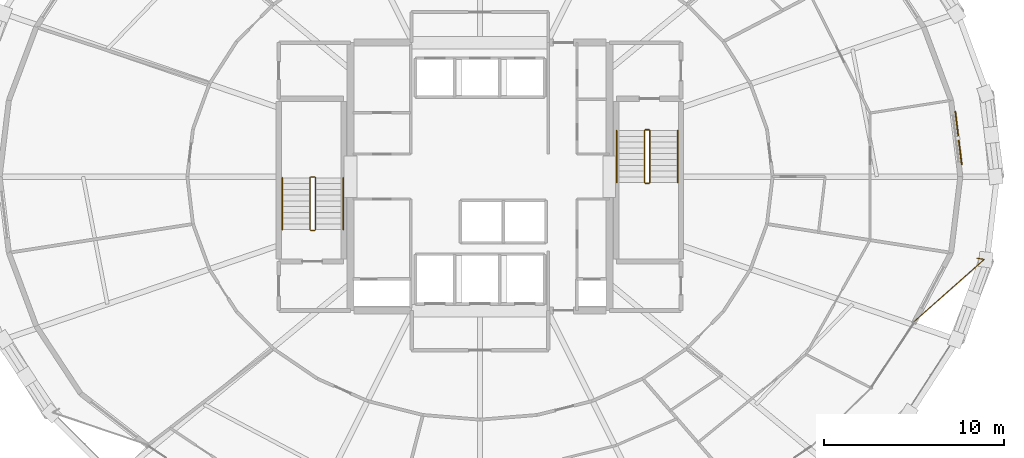
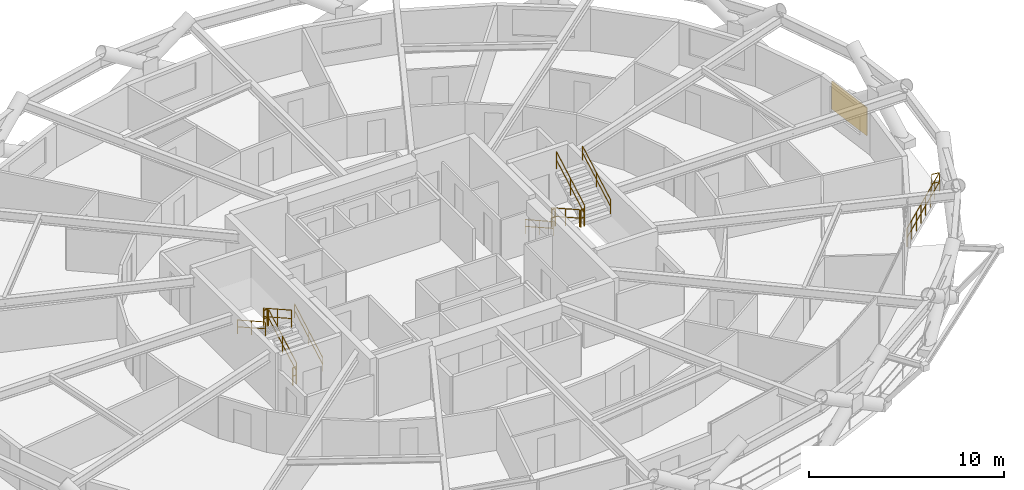
# One storey, part 21 of 21: 13 railings, 1 shading device.
"""IFC4 building model written with IfcOpenShell, lengths in metres."""

from ifc_helpers import new_model, si_unit, direction, frame, origin, origin_2d, place, context, subcontext, project, spatial, rectangle, circle, extrude, material, layer, layer_set, type_object, element, save


model = new_model("IFC4")

# Units and contexts
model_context = context("Model", 3, precision=1e-05, world=origin(), true_north=direction((0.0, 1.0)))
body_context = subcontext(model_context, "Body", "Model", "MODEL_VIEW")
ifc_project = project(units=[si_unit("LENGTHUNIT", "METRE"), si_unit("AREAUNIT", "SQUARE_METRE"), si_unit("VOLUMEUNIT", "CUBIC_METRE"), si_unit("PLANEANGLEUNIT", "RADIAN"), si_unit("MASSUNIT", "GRAM", prefix="KILO")], contexts=[model_context])

# Site, building, storey
site_placement = place(None, origin())
site = spatial("IfcSite", under=ifc_project, at=site_placement, CompositionType="ELEMENT")
building_placement = place(site_placement, origin())
building = spatial("IfcBuilding", under=site, at=building_placement, Name="Veldorina Hangang Commons", CompositionType="ELEMENT")
storey_placement = place(building_placement, frame((0.0, 0.0, 59.199951171875)))
storey = spatial("IfcBuildingStorey", under=building, at=storey_placement, Name="L14", CompositionType="ELEMENT", Elevation=59.199951171875)

# Railings
ifc_material_1 = material(Name="Glass Laminated Safety Balustrade", Category="glass")
railing_type_1 = type_object("IfcRailingType", Name="RL-BAL-LOGGIA", PredefinedType="BALUSTRADE", material=ifc_material_1)
railing_1_placement = place(storey_placement, frame((59.62841796875, 19.462646484375, 0.0)))
element("IfcRailing", 1, at=railing_1_placement, inside=storey, type_object=railing_type_1, Name="L14 sky-garden loggia end balustrade B", PredefinedType="BALUSTRADE", context=body_context, shape_type="SweptSolid", body=[
    extrude(circle(Radius=0.02392578125, at=origin_2d()), frame((0.0, 0.0, 1.17578125), z_axis=(0.986861106926, -0.161570899721, 0.0), x_axis=(0.161570899721, 0.986861106926, 0.0)), (0.0, 0.0, 1.0), 0.420166015625),
    extrude(circle(Radius=0.02392578125, at=origin_2d()), frame((0.0, 0.0, 0.60009765625), z_axis=(0.986861106926, -0.161570899721, 0.0), x_axis=(0.161570899721, 0.986861106926, 0.0)), (0.0, 0.0, 1.0), 0.420166015625),
    extrude(circle(Radius=0.02392578125, at=origin_2d()), frame((0.41455078125, -0.06787109375, 1.17578125), z_axis=(-0.748044040425, -0.663649089191, 0.0), x_axis=(0.663649089191, -0.748044040425, 0.0)), (0.0, 0.0, 1.0), 5.239013671875),
    extrude(circle(Radius=0.02392578125, at=origin_2d()), frame((0.41455078125, -0.06787109375, 0.60009765625), z_axis=(-0.748044040425, -0.663649089191, 0.0), x_axis=(0.663649089191, -0.748044040425, 0.0)), (0.0, 0.0, 1.0), 5.239013671875),
    extrude(circle(Radius=0.02099609375, at=origin_2d()), origin(), (0.0, 0.0, 1.0), 1.15185546875),
    extrude(circle(Radius=0.02099609375, at=origin_2d()), frame((0.41455078125, -0.06787109375, 0.0)), (0.0, 0.0, 1.0), 1.15185546875),
    extrude(circle(Radius=0.02099609375, at=origin_2d()), frame((-0.145263671875, -0.564453125, 0.0)), (0.0, 0.0, 1.0), 1.15185546875),
    extrude(circle(Radius=0.02099609375, at=origin_2d()), frame((-0.705078125, -1.061279296875, 0.0)), (0.0, 0.0, 1.0), 1.15185546875),
    extrude(circle(Radius=0.02099609375, at=origin_2d()), frame((-1.264892578125, -1.557861328125, 0.0)), (0.0, 0.0, 1.0), 1.15185546875),
    extrude(circle(Radius=0.02099609375, at=origin_2d()), frame((-1.824951171875, -2.0546875, 0.0)), (0.0, 0.0, 1.0), 1.15185546875),
    extrude(circle(Radius=0.02099609375, at=origin_2d()), frame((-2.384765625, -2.55126953125, 0.0)), (0.0, 0.0, 1.0), 1.15185546875),
    extrude(circle(Radius=0.02099609375, at=origin_2d()), frame((-2.944580078125, -3.048095703125, 0.0)), (0.0, 0.0, 1.0), 1.15185546875),
    extrude(circle(Radius=0.02099609375, at=origin_2d()), frame((-3.50439453125, -3.544677734375, 0.0)), (0.0, 0.0, 1.0), 1.15185546875),
])
ifc_material_2 = material(Name="Steel Painted Balustrade", Category="steel")
railing_type_2 = type_object("IfcRailingType", Name="RL-GRD-STAIR", PredefinedType="GUARDRAIL", material=ifc_material_2)
railing_2_placement = place(storey_placement, frame((22.85009765625, 21.050048828125, 0.179931640625)))
element("IfcRailing", 2, at=railing_2_placement, inside=storey, type_object=railing_type_2, Name="L14 ST-1 stair guard 1", PredefinedType="GUARDRAIL", context=body_context, shape_type="SweptSolid", body=[
    extrude(circle(Radius=0.02392578125, at=origin_2d()), frame((0.0, 0.0, 1.076171875), z_axis=(0.0, 0.87155185771, 0.490303333991), x_axis=(-1.0, 0.0, 0.0)), (0.0, 0.0, 1.0), 3.30419921875),
    extrude(circle(Radius=0.02392578125, at=origin_2d()), frame((0.0, 0.0, 0.550048828125), z_axis=(0.0, 0.87155185771, 0.490303333991), x_axis=(-1.0, 0.0, 0.0)), (0.0, 0.0, 1.0), 3.30419921875),
    extrude(circle(Radius=0.02099609375, at=origin_2d()), origin(), (0.0, 0.0, 1.0), 1.052001953125),
    extrude(circle(Radius=0.02099609375, at=origin_2d()), frame((0.0, 1.43994140625, 0.81005859375)), (0.0, 0.0, 1.0), 1.052001953125),
    extrude(circle(Radius=0.02099609375, at=origin_2d()), frame((0.0, 2.8798828125, 1.6201171875)), (0.0, 0.0, 1.0), 1.052001953125),
])
railing_3_placement = place(storey_placement, frame((22.800048828125, 23.97998046875, 1.800048828125)))
element("IfcRailing", 3, at=railing_3_placement, inside=storey, type_object=railing_type_2, Name="L14 ST-1 stair guard 2", PredefinedType="GUARDRAIL", context=body_context, shape_type="SweptSolid", body=[
    extrude(circle(Radius=0.02392578125, at=origin_2d()), frame((0.0, 0.0, 1.076171875), z_axis=(-1.0, 0.0, 0.0), x_axis=(0.0, -1.0, 0.0)), (0.0, 0.0, 1.0), 0.199951171875),
    extrude(circle(Radius=0.02392578125, at=origin_2d()), frame((0.0, 0.0, 0.550048828125), z_axis=(-1.0, 0.0, 0.0), x_axis=(0.0, -1.0, 0.0)), (0.0, 0.0, 1.0), 0.199951171875),
    extrude(circle(Radius=0.02099609375, at=origin_2d()), origin(), (0.0, 0.0, 1.0), 1.052001953125),
    extrude(circle(Radius=0.02099609375, at=origin_2d()), frame((-0.199951171875, 0.0, 0.0)), (0.0, 0.0, 1.0), 1.052001953125),
])
railing_4_placement = place(storey_placement, frame((22.550048828125, 23.929931640625, 1.97998046875)))
element("IfcRailing", 4, at=railing_4_placement, inside=storey, type_object=railing_type_2, Name="L14 ST-1 stair guard 3", PredefinedType="GUARDRAIL", context=body_context, shape_type="SweptSolid", body=[
    extrude(circle(Radius=0.02392578125, at=origin_2d()), frame((0.0, 0.0, 1.076171875), z_axis=(0.0, -0.87155185771, 0.490303333991), x_axis=(1.0, 0.0, 0.0)), (0.0, 0.0, 1.0), 3.30419921875),
    extrude(circle(Radius=0.02392578125, at=origin_2d()), frame((0.0, 0.0, 0.550048828125), z_axis=(0.0, -0.87155185771, 0.490303333991), x_axis=(1.0, 0.0, 0.0)), (0.0, 0.0, 1.0), 3.30419921875),
    extrude(circle(Radius=0.02099609375, at=origin_2d()), origin(), (0.0, 0.0, 1.0), 1.052001953125),
    extrude(circle(Radius=0.02099609375, at=origin_2d()), frame((0.0, -1.43994140625, 0.81005859375)), (0.0, 0.0, 1.0), 1.052001953125),
    extrude(circle(Radius=0.02099609375, at=origin_2d()), frame((0.0, -2.8798828125, 1.6201171875)), (0.0, 0.0, 1.0), 1.052001953125),
])
railing_5_placement = place(storey_placement, frame((22.800048828125, 21.0, 0.0)))
element("IfcRailing", 5, at=railing_5_placement, inside=storey, type_object=railing_type_2, Name="L14 ST-1 stair guard 4", PredefinedType="GUARDRAIL", context=body_context, shape_type="SweptSolid", body=[
    extrude(circle(Radius=0.02392578125, at=origin_2d()), frame((0.0, 0.0, 1.076171875), z_axis=(-1.0, 0.0, 0.0), x_axis=(0.0, -1.0, 0.0)), (0.0, 0.0, 1.0), 0.199951171875),
    extrude(circle(Radius=0.02392578125, at=origin_2d()), frame((0.0, 0.0, 0.550048828125), z_axis=(-1.0, 0.0, 0.0), x_axis=(0.0, -1.0, 0.0)), (0.0, 0.0, 1.0), 0.199951171875),
    extrude(circle(Radius=0.02099609375, at=origin_2d()), origin(), (0.0, 0.0, 1.0), 1.052001953125),
    extrude(circle(Radius=0.02099609375, at=origin_2d()), frame((-0.199951171875, 0.0, 0.0)), (0.0, 0.0, 1.0), 1.052001953125),
])
railing_6_placement = place(storey_placement, frame((41.14990234375, 26.550048828125, 0.179931640625)))
element("IfcRailing", 6, at=railing_6_placement, inside=storey, type_object=railing_type_2, Name="L14 ST-2 stair guard 1", PredefinedType="GUARDRAIL", context=body_context, shape_type="SweptSolid", body=[
    extrude(circle(Radius=0.02392578125, at=origin_2d()), frame((0.0, 0.0, 1.076171875), z_axis=(0.0, -0.871569617843, 0.490271762652), x_axis=(1.0, 0.0, 0.0)), (0.0, 0.0, 1.0), 3.304443359375),
    extrude(circle(Radius=0.02392578125, at=origin_2d()), frame((0.0, 0.0, 0.550048828125), z_axis=(0.0, -0.871569617843, 0.490271762652), x_axis=(1.0, 0.0, 0.0)), (0.0, 0.0, 1.0), 3.304443359375),
    extrude(circle(Radius=0.02099609375, at=origin_2d()), origin(), (0.0, 0.0, 1.0), 1.052001953125),
    extrude(circle(Radius=0.02099609375, at=origin_2d()), frame((0.0, -1.43994140625, 0.81005859375)), (0.0, 0.0, 1.0), 1.052001953125),
    extrude(circle(Radius=0.02099609375, at=origin_2d()), frame((0.0, -2.880126953125, 1.6201171875)), (0.0, 0.0, 1.0), 1.052001953125),
])
railing_7_placement = place(storey_placement, frame((41.199951171875, 23.6201171875, 1.800048828125)))
element("IfcRailing", 7, at=railing_7_placement, inside=storey, type_object=railing_type_2, Name="L14 ST-2 stair guard 2", PredefinedType="GUARDRAIL", context=body_context, shape_type="SweptSolid", body=[
    extrude(circle(Radius=0.02392578125, at=origin_2d()), frame((0.0, 0.0, 1.076171875), z_axis=(1.0, 0.0, 0.0), x_axis=(0.0, 1.0, 0.0)), (0.0, 0.0, 1.0), 0.199951171875),
    extrude(circle(Radius=0.02392578125, at=origin_2d()), frame((0.0, 0.0, 0.550048828125), z_axis=(1.0, 0.0, 0.0), x_axis=(0.0, 1.0, 0.0)), (0.0, 0.0, 1.0), 0.199951171875),
    extrude(circle(Radius=0.02099609375, at=origin_2d()), origin(), (0.0, 0.0, 1.0), 1.052001953125),
    extrude(circle(Radius=0.02099609375, at=origin_2d()), frame((0.199951171875, 0.0, 0.0)), (0.0, 0.0, 1.0), 1.052001953125),
])
railing_8_placement = place(storey_placement, frame((41.449951171875, 23.669921875, 1.97998046875)))
element("IfcRailing", 8, at=railing_8_placement, inside=storey, type_object=railing_type_2, Name="L14 ST-2 stair guard 3", PredefinedType="GUARDRAIL", context=body_context, shape_type="SweptSolid", body=[
    extrude(circle(Radius=0.02392578125, at=origin_2d()), frame((0.0, 0.0, 1.076171875), z_axis=(0.0, 0.871569617843, 0.490271762652), x_axis=(-1.0, 0.0, 0.0)), (0.0, 0.0, 1.0), 3.304443359375),
    extrude(circle(Radius=0.02392578125, at=origin_2d()), frame((0.0, 0.0, 0.550048828125), z_axis=(0.0, 0.871569617843, 0.490271762652), x_axis=(-1.0, 0.0, 0.0)), (0.0, 0.0, 1.0), 3.304443359375),
    extrude(circle(Radius=0.02099609375, at=origin_2d()), origin(), (0.0, 0.0, 1.0), 1.052001953125),
    extrude(circle(Radius=0.02099609375, at=origin_2d()), frame((0.0, 1.43994140625, 0.81005859375)), (0.0, 0.0, 1.0), 1.052001953125),
    extrude(circle(Radius=0.02099609375, at=origin_2d()), frame((0.0, 2.880126953125, 1.6201171875)), (0.0, 0.0, 1.0), 1.052001953125),
])
railing_9_placement = place(storey_placement, frame((41.199951171875, 26.60009765625, 0.0)))
element("IfcRailing", 9, at=railing_9_placement, inside=storey, type_object=railing_type_2, Name="L14 ST-2 stair guard 4", PredefinedType="GUARDRAIL", context=body_context, shape_type="SweptSolid", body=[
    extrude(circle(Radius=0.02392578125, at=origin_2d()), frame((0.0, 0.0, 1.076171875), z_axis=(1.0, 0.0, 0.0), x_axis=(0.0, 1.0, 0.0)), (0.0, 0.0, 1.0), 0.199951171875),
    extrude(circle(Radius=0.02392578125, at=origin_2d()), frame((0.0, 0.0, 0.550048828125), z_axis=(1.0, 0.0, 0.0), x_axis=(0.0, 1.0, 0.0)), (0.0, 0.0, 1.0), 0.199951171875),
    extrude(circle(Radius=0.02099609375, at=origin_2d()), origin(), (0.0, 0.0, 1.0), 1.052001953125),
    extrude(circle(Radius=0.02099609375, at=origin_2d()), frame((0.199951171875, 0.0, 0.0)), (0.0, 0.0, 1.0), 1.052001953125),
])
ifc_material_3 = material(Name="Stainless Steel Brushed 316", Category="steel")
railing_type_3 = type_object("IfcRailingType", Name="RL-HND-STAIR", PredefinedType="HANDRAIL", material=ifc_material_3)
railing_10_placement = place(storey_placement, frame((24.39990234375, 21.050048828125, 0.179931640625)))
element("IfcRailing", 10, at=railing_10_placement, inside=storey, type_object=railing_type_3, Name="L14 ST-1 stair handrail 1", PredefinedType="HANDRAIL", context=body_context, shape_type="SweptSolid", body=[
    extrude(circle(Radius=0.02392578125, at=origin_2d()), frame((0.0, 0.0, 0.8759765625), z_axis=(0.0, 0.87155185771, 0.490303333991), x_axis=(-1.0, 0.0, 0.0)), (0.0, 0.0, 1.0), 3.30419921875),
    extrude(circle(Radius=0.02392578125, at=origin_2d()), frame((0.0, 0.0, 0.449951171875), z_axis=(0.0, 0.87155185771, 0.490303333991), x_axis=(-1.0, 0.0, 0.0)), (0.0, 0.0, 1.0), 3.30419921875),
    extrude(circle(Radius=0.02099609375, at=origin_2d()), origin(), (0.0, 0.0, 1.0), 0.851806640625),
    extrude(circle(Radius=0.02099609375, at=origin_2d()), frame((0.0, 1.43994140625, 0.81005859375)), (0.0, 0.0, 1.0), 0.851806640625),
    extrude(circle(Radius=0.02099609375, at=origin_2d()), frame((0.0, 2.8798828125, 1.6201171875)), (0.0, 0.0, 1.0), 0.851806640625),
])
railing_11_placement = place(storey_placement, frame((21.0, 23.929931640625, 1.97998046875)))
element("IfcRailing", 11, at=railing_11_placement, inside=storey, type_object=railing_type_3, Name="L14 ST-1 stair handrail 2", PredefinedType="HANDRAIL", context=body_context, shape_type="SweptSolid", body=[
    extrude(circle(Radius=0.02392578125, at=origin_2d()), frame((0.0, 0.0, 0.8759765625), z_axis=(0.0, -0.87155185771, 0.490303333991), x_axis=(1.0, 0.0, 0.0)), (0.0, 0.0, 1.0), 3.30419921875),
    extrude(circle(Radius=0.02392578125, at=origin_2d()), frame((0.0, 0.0, 0.449951171875), z_axis=(0.0, -0.87155185771, 0.490303333991), x_axis=(1.0, 0.0, 0.0)), (0.0, 0.0, 1.0), 3.30419921875),
    extrude(circle(Radius=0.02099609375, at=origin_2d()), origin(), (0.0, 0.0, 1.0), 0.851806640625),
    extrude(circle(Radius=0.02099609375, at=origin_2d()), frame((0.0, -1.43994140625, 0.81005859375)), (0.0, 0.0, 1.0), 0.851806640625),
    extrude(circle(Radius=0.02099609375, at=origin_2d()), frame((0.0, -2.8798828125, 1.6201171875)), (0.0, 0.0, 1.0), 0.851806640625),
])
railing_12_placement = place(storey_placement, frame((39.60009765625, 26.550048828125, 0.179931640625)))
element("IfcRailing", 12, at=railing_12_placement, inside=storey, type_object=railing_type_3, Name="L14 ST-2 stair handrail 1", PredefinedType="HANDRAIL", context=body_context, shape_type="SweptSolid", body=[
    extrude(circle(Radius=0.02392578125, at=origin_2d()), frame((0.0, 0.0, 0.8759765625), z_axis=(0.0, -0.871569617843, 0.490271762652), x_axis=(1.0, 0.0, 0.0)), (0.0, 0.0, 1.0), 3.304443359375),
    extrude(circle(Radius=0.02392578125, at=origin_2d()), frame((0.0, 0.0, 0.449951171875), z_axis=(0.0, -0.871569617843, 0.490271762652), x_axis=(1.0, 0.0, 0.0)), (0.0, 0.0, 1.0), 3.304443359375),
    extrude(circle(Radius=0.02099609375, at=origin_2d()), origin(), (0.0, 0.0, 1.0), 0.851806640625),
    extrude(circle(Radius=0.02099609375, at=origin_2d()), frame((0.0, -1.43994140625, 0.81005859375)), (0.0, 0.0, 1.0), 0.851806640625),
    extrude(circle(Radius=0.02099609375, at=origin_2d()), frame((0.0, -2.880126953125, 1.6201171875)), (0.0, 0.0, 1.0), 0.851806640625),
])
railing_13_placement = place(storey_placement, frame((43.0, 23.669921875, 1.97998046875)))
element("IfcRailing", 13, at=railing_13_placement, inside=storey, type_object=railing_type_3, Name="L14 ST-2 stair handrail 2", PredefinedType="HANDRAIL", context=body_context, shape_type="SweptSolid", body=[
    extrude(circle(Radius=0.02392578125, at=origin_2d()), frame((0.0, 0.0, 0.8759765625), z_axis=(0.0, 0.871569617843, 0.490271762652), x_axis=(-1.0, 0.0, 0.0)), (0.0, 0.0, 1.0), 3.304443359375),
    extrude(circle(Radius=0.02392578125, at=origin_2d()), frame((0.0, 0.0, 0.449951171875), z_axis=(0.0, 0.871569617843, 0.490271762652), x_axis=(-1.0, 0.0, 0.0)), (0.0, 0.0, 1.0), 3.304443359375),
    extrude(circle(Radius=0.02099609375, at=origin_2d()), origin(), (0.0, 0.0, 1.0), 0.851806640625),
    extrude(circle(Radius=0.02099609375, at=origin_2d()), frame((0.0, 1.43994140625, 0.81005859375)), (0.0, 0.0, 1.0), 0.851806640625),
    extrude(circle(Radius=0.02099609375, at=origin_2d()), frame((0.0, 2.880126953125, 1.6201171875)), (0.0, 0.0, 1.0), 0.851806640625),
])

# Shading device
ifc_material_4 = material(Name="Ceramic Glazed Terracotta", Category="masonry")
ifc_layer = layer(ifc_material_4, 0.06005859375)
ifc_layer_set = layer_set([ifc_layer], Name="Ceramic Glazed Terracotta")
shading_device_type = type_object("IfcShadingDeviceType", Name="SCR-CER-3000", PredefinedType="USERDEFINED", material=ifc_layer_set)
shading_device_placement = place(storey_placement, frame((58.614990234375, 26.13720703125, 0.75), z_axis=(0.0, 0.0, 1.0), x_axis=(-0.12029277931, 0.992738458631, 0.0)))
element("IfcShadingDevice", 14, at=shading_device_placement, inside=storey, type_object=shading_device_type, Name="L14 PERFORATED CERAMIC SOLAR SCREEN 00", ObjectType="SCREEN", PredefinedType="USERDEFINED", context=body_context, shape_type="SweptSolid", body=[
    extrude(rectangle(XDim=3.0, YDim=0.06005859375, at=origin_2d()), origin(), (0.0, 0.0, 1.0), 1.75),
])

save(model, "model.ifc")
